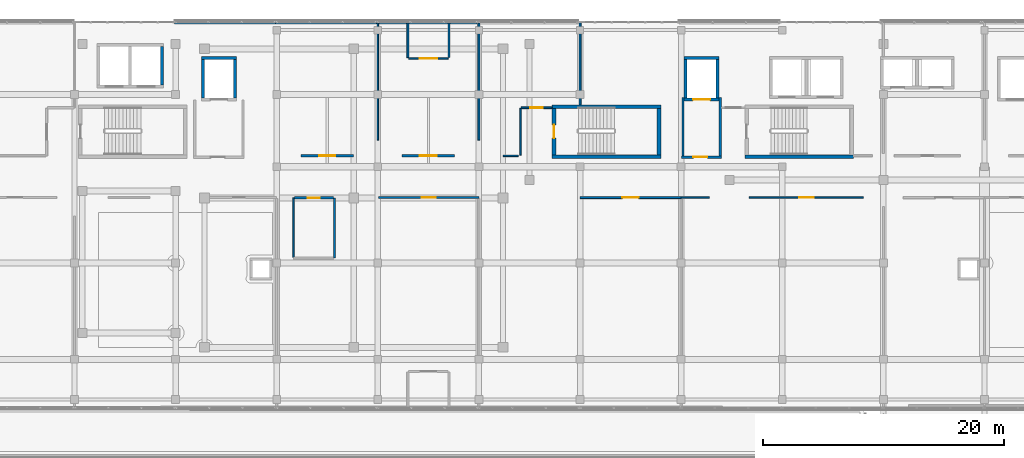
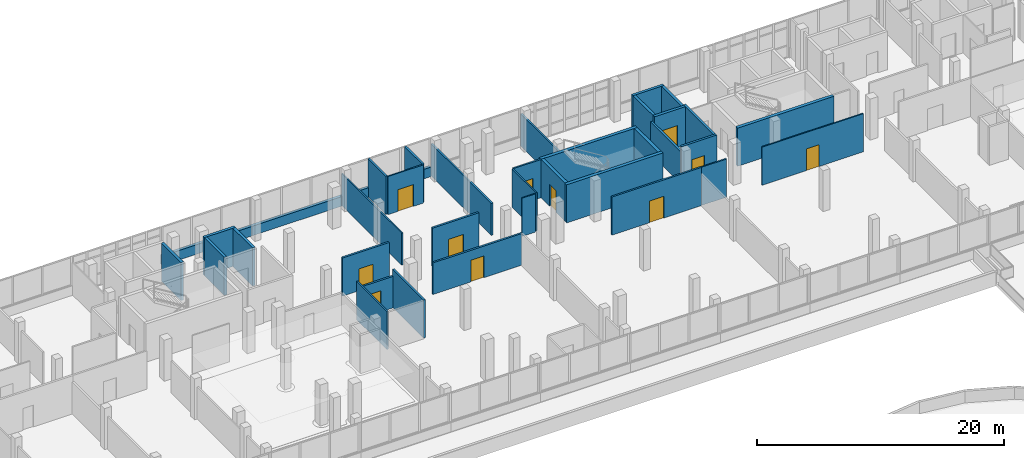
# One storey, part 68 of 78: 37 walls, 11 doors, 11 openings.
"""IFC4 building model written with IfcOpenShell, lengths in metres."""

import ifcopenshell
import ifcopenshell.guid

model = None  # the IFC model being written
_history = None  # IfcOwnerHistory: only IFC2X3 demands one
_inside = {}  # id of a spatial element -> (the spatial element, [elements in it])
_under = {}  # id of a project, library or spatial element -> (it, [spatial elements below it])
_declared = {}  # id of a project -> (the project, [libraries it declares])
_typed = {}  # id of a type object -> (the type object, [elements of that type])
_made_of = {}  # id of a material, layer set ... -> (it, [elements and type objects made of it])


def new_model(schema):
    """Start an empty IFC model of exactly this schema.

    Asked for "IFC4X3", IfcOpenShell would pick the latest addendum, in which some entities
    have other attributes; the version numbers below select the first issue.
    IFC2X3 requires an IfcOwnerHistory on every rooted entity: one is made here for all.
    """
    global model, _history
    if schema == "IFC4X3":
        model = ifcopenshell.file(schema_version=(4, 3, 0, 0))
    else:
        model = ifcopenshell.file(schema=schema)
    _inside.clear()
    _under.clear()
    _declared.clear()
    _typed.clear()
    _made_of.clear()
    _history = None
    if model.schema == "IFC2X3":
        org = make("IfcOrganization", Name="unknown")
        user = make(
            "IfcPersonAndOrganization",
            ThePerson=make("IfcPerson", FamilyName="unknown"),
            TheOrganization=org,
        )
        app = make(
            "IfcApplication",
            ApplicationDeveloper=org,
            Version="unknown",
            ApplicationFullName="unknown",
            ApplicationIdentifier="unknown",
        )
        _history = make(
            "IfcOwnerHistory",
            OwningUser=user,
            OwningApplication=app,
            ChangeAction="ADDED",
            CreationDate=0,
        )
    return model


def make(cls, **values):
    """One entity of the class cls with the attributes given. An attribute that is None is left unset."""
    return model.create_entity(
        cls, **{name: value for name, value in values.items() if value is not None}
    )


def rooted(cls, **values):
    """An entity with a GlobalId (a new one), such as an element, a storey or a relation."""
    return make(cls, GlobalId=ifcopenshell.guid.new(), OwnerHistory=_history, **values)


def si_unit(unit_type, name, prefix=None):
    """IfcSIUnit, for example si_unit("LENGTHUNIT", "METRE", prefix="MILLI")."""
    return make("IfcSIUnit", UnitType=unit_type, Prefix=prefix, Name=name)


def assignment(units):
    """IfcUnitAssignment: the units of a project."""
    return None if units is None else make("IfcUnitAssignment", Units=units)


def point(xyz):
    """IfcCartesianPoint."""
    return None if xyz is None else make("IfcCartesianPoint", Coordinates=xyz)


def direction(xyz):
    """IfcDirection."""
    return None if xyz is None else make("IfcDirection", DirectionRatios=xyz)


def frame(location, z_axis=None, x_axis=None):
    """IfcAxis2Placement3D, a coordinate frame: its origin and axes. An axis left out is left unset."""
    return make(
        "IfcAxis2Placement3D",
        Location=point(location),
        Axis=direction(z_axis),
        RefDirection=direction(x_axis),
    )


def frame_2d(location, x_axis=None):
    """IfcAxis2Placement2D, a coordinate frame in the plane: its origin and x axis."""
    return make(
        "IfcAxis2Placement2D", Location=point(location), RefDirection=direction(x_axis)
    )


def origin():
    """The frame at (0, 0, 0) with its axes left unset."""
    return frame((0.0, 0.0, 0.0))


def place(relative_to, where):
    """IfcLocalPlacement: puts the frame where relative to a parent placement (None: the world)."""
    return make(
        "IfcLocalPlacement", PlacementRelTo=relative_to, RelativePlacement=where
    )


def context(
    kind, dimensions, precision=None, world=None, true_north=None, identifier=None
):
    """IfcGeometricRepresentationContext, for example the 3D "Model" context."""
    return make(
        "IfcGeometricRepresentationContext",
        ContextIdentifier=identifier,
        ContextType=kind,
        CoordinateSpaceDimension=dimensions,
        Precision=precision,
        WorldCoordinateSystem=world,
        TrueNorth=true_north,
    )


def subcontext(parent, identifier, kind, view, scale=None):
    """IfcGeometricRepresentationSubContext, for example "Body" below "Model"."""
    return make(
        "IfcGeometricRepresentationSubContext",
        ContextIdentifier=identifier,
        ContextType=kind,
        ParentContext=parent,
        TargetScale=scale,
        TargetView=view,
    )


def project(units=None, contexts=None):
    """IfcProject with its units and contexts."""
    return rooted(
        "IfcProject",
        Name="project",
        RepresentationContexts=contexts,
        UnitsInContext=assignment(units),
    )


def spatial(cls, under=None, at=None, **own):
    """A site, building, storey or space (cls), placed at a placement, below another one or the project."""
    s = rooted(cls, ObjectPlacement=at, **own)
    if under is not None:
        _under.setdefault(under.id(), (under, []))[1].append(s)
    return s


def profile(cls, at=None, kind="AREA", **sizes):
    """A parametric profile (cls). Its sizes go by their IFC names, for example OverallWidth=200.0."""
    return make(cls, ProfileType=kind, Position=at, **sizes)


def rectangle(**sizes):
    """IfcRectangleProfileDef."""
    return profile("IfcRectangleProfileDef", **sizes)


def extrude(swept, where, along, depth):
    """IfcExtrudedAreaSolid: the profile swept, set in the frame where, extruded along a direction by depth."""
    return make(
        "IfcExtrudedAreaSolid",
        SweptArea=swept,
        Position=where,
        ExtrudedDirection=direction(along),
        Depth=depth,
    )


def shape(context_of_items, identifier, shape_type, items):
    """IfcShapeRepresentation: the items that make up one representation, for example the "Body"."""
    return make(
        "IfcShapeRepresentation",
        ContextOfItems=context_of_items,
        RepresentationIdentifier=identifier,
        RepresentationType=shape_type,
        Items=items,
    )


def material(Name=None, Category=None):
    """IfcMaterial."""
    return make("IfcMaterial", Name=Name, Category=Category)


def layer(
    of_material, thickness, ventilated=None, Name=None, Category=None, Priority=None
):
    """IfcMaterialLayer: one layer of a wall or slab, of a material (None: an air gap)."""
    return make(
        "IfcMaterialLayer",
        Material=of_material,
        LayerThickness=thickness,
        IsVentilated=ventilated,
        Name=Name,
        Category=Category,
        Priority=Priority,
    )


def layer_set(layers, Name=None):
    """IfcMaterialLayerSet."""
    return make("IfcMaterialLayerSet", MaterialLayers=layers, LayerSetName=Name)


def made_of(thing, what):
    """Note that an element or type object is made of a material, layer set ...; save() writes the relation."""
    if what is not None:
        _made_of.setdefault(what.id(), (what, []))[1].append(thing)
    return thing


def type_object(cls, material=None, **own):
    """A type object (cls), such as IfcWallType, which elements share."""
    return made_of(rooted(cls, **own), material)


def element(
    cls,
    number,
    at=None,
    inside=None,
    cuts=None,
    type_object=None,
    material=None,
    context=None,
    identifier="Body",
    shape_type=None,
    held_by="IfcProductDefinitionShape",
    body=None,
    shapes=None,
    **own,
):
    """One element of the class cls, such as IfcWall. Its Tag is "e" and its number.

    at: its placement. inside: the storey or other place that contains it. cuts: it is an
    opening in that element (IfcRelVoidsElement). A single representation is given by context,
    identifier, shape_type and body (its items); several are given by shapes. held_by: the class
    of the entity that holds the representations. save() writes the other relations.
    """
    e = rooted(cls, Tag="e%d" % number, ObjectPlacement=at, **own)
    if body is not None:
        shapes = [shape(context, identifier, shape_type, body)]
    if shapes is not None:
        e.Representation = make(held_by, Representations=shapes)
    if inside is not None:
        _inside.setdefault(inside.id(), (inside, []))[1].append(e)
    if cuts is not None:
        rooted(
            "IfcRelVoidsElement", RelatingBuildingElement=cuts, RelatedOpeningElement=e
        )
    if type_object is not None:
        _typed.setdefault(type_object.id(), (type_object, []))[1].append(e)
    return made_of(e, material)


def fill(opening, filler):
    """IfcRelFillsElement: the door or window that sits in an opening."""
    return rooted(
        "IfcRelFillsElement",
        RelatingOpeningElement=opening,
        RelatedBuildingElement=filler,
    )


def aggregate(whole, parts):
    """IfcRelAggregates: a whole, such as a stair, and the parts it consists of."""
    return rooted("IfcRelAggregates", RelatingObject=whole, RelatedObjects=parts)


def save(model, path):
    """Write the relations noted so far, then the file.

    IfcRelAggregates (storeys below a building ...), IfcRelContainedInSpatialStructure (elements
    in a storey), IfcRelDefinesByType, IfcRelAssociatesMaterial and IfcRelDeclares: one each for
    every whole, place, type object, material and project.
    """
    for whole, parts in _under.values():
        aggregate(whole, parts)
    for where, things in _inside.values():
        rooted(
            "IfcRelContainedInSpatialStructure",
            RelatedElements=things,
            RelatingStructure=where,
        )
    for kind, things in _typed.values():
        rooted("IfcRelDefinesByType", RelatedObjects=things, RelatingType=kind)
    for what, things in _made_of.values():
        rooted("IfcRelAssociatesMaterial", RelatedObjects=things, RelatingMaterial=what)
    for by, libraries in _declared.values():
        rooted("IfcRelDeclares", RelatingContext=by, RelatedDefinitions=libraries)
    model.write(path)


model = new_model("IFC4")

# Units and contexts
model_context = context("Model", 3, precision=1e-05, world=origin(), true_north=direction((0.0, 1.0)))
body_context = subcontext(model_context, "Body", "Model", "MODEL_VIEW")
ifc_project = project(units=[si_unit("LENGTHUNIT", "METRE"), si_unit("AREAUNIT", "SQUARE_METRE"), si_unit("VOLUMEUNIT", "CUBIC_METRE"), si_unit("PLANEANGLEUNIT", "RADIAN"), si_unit("MASSUNIT", "GRAM", prefix="KILO")], contexts=[model_context])

# Site, building, storey
site_placement = place(None, origin())
site = spatial("IfcSite", under=ifc_project, at=site_placement, CompositionType="ELEMENT")
building_placement = place(site_placement, origin())
building = spatial("IfcBuilding", under=site, at=building_placement, Name="Selatvlak General Hospital", CompositionType="ELEMENT")
storey_placement = place(building_placement, frame((0.0, 0.0, 23.25)))
storey = spatial("IfcBuildingStorey", under=building, at=storey_placement, Name="L05", CompositionType="ELEMENT", Elevation=23.25)

# Walls
ifc_material_1 = material(Name="Precast concrete C40/50 - white Bauhaus spandrel", Category="concrete")
ifc_layer_1 = layer(ifc_material_1, 0.280029296875, Name="Precast concrete C40/50 - white Bauhaus spandrel", Category="concrete")
ifc_layer_set_1 = layer_set([ifc_layer_1], Name="Precast concrete C40/50 - white Bauhaus spandrel")
wall_type_1 = type_object("IfcWallType", Name="WALL-EW-02", PredefinedType="SOLIDWALL", material=ifc_layer_set_1)
wall_1_placement = place(storey_placement, frame((56.318115234375, 119.9990234375, 0.0), z_axis=(0.0, 0.0, 1.0), x_axis=(1.0, 0.0, 0.0)))
element("IfcWall", 1, at=wall_1_placement, inside=storey, type_object=wall_type_1, Name="L05 Bauhaus spandrel sill wall 0483", PredefinedType="SOLIDWALL", context=body_context, shape_type="SweptSolid", body=[
    extrude(rectangle(XDim=8.373779296875, YDim=0.280029296875, at=frame_2d((4.18701171875, 0.0))), origin(), (0.0, 0.0, 1.0), 0.93994140625),
])
for number, where, z_axis, x_axis, name in (
    (2, (64.696044921875, 119.9990234375, 0.0), (0.0, 0.0, 1.0), (1.0, 0.0, 0.0), "L05 Bauhaus spandrel sill wall 0484"),
    (3, (73.074951171875, 119.9990234375, 0.0), (0.0, 0.0, 1.0), (1.0, 0.0, 0.0), "L05 Bauhaus spandrel sill wall 0485"),
):
    element("IfcWall", number, at=place(storey_placement, frame(where, z_axis=z_axis, x_axis=x_axis)), inside=storey, type_object=wall_type_1, Name=name, PredefinedType="SOLIDWALL", context=body_context, shape_type="SweptSolid", body=[
        extrude(rectangle(XDim=8.375, YDim=0.280029296875, at=frame_2d((4.1875, 0.0))), origin(), (0.0, 0.0, 1.0), 0.93994140625),
    ])

# Wall, opening, door
ifc_material_2 = material(Name="Concrete C40/50", Category="concrete")
ifc_layer_2 = layer(ifc_material_2, 0.199951171875, Name="Concrete C40/50", Category="concrete")
ifc_layer_set_2 = layer_set([ifc_layer_2], Name="Concrete C40/50")
wall_type_2 = type_object("IfcWallType", Name="WALL-IW-02", PredefinedType="SOLIDWALL", material=ifc_layer_set_2)
wall_2_placement = place(storey_placement, frame((98.449951171875, 108.800048828125, 0.0), z_axis=(0.0, 0.0, 1.0), x_axis=(1.0, 0.0, 0.0)))
wall_2 = element("IfcWall", 4, at=wall_2_placement, inside=storey, type_object=wall_type_2, Name="Firefighting lobby C2 wall L05 S", PredefinedType="SOLIDWALL", context=body_context, shape_type="SweptSolid", body=[
    extrude(rectangle(XDim=3.300048828125, YDim=0.199951171875, at=frame_2d((1.64990234375, 0.0))), origin(), (0.0, 0.0, 1.0), 3.77490234375),
])
opening_1_placement = place(wall_2_placement, frame((0.97509765625, 0.0, 0.0)))
opening_1 = element("IfcOpeningElement", 5, at=opening_1_placement, cuts=wall_2, Name="Opening D-06", PredefinedType="OPENING", context=body_context, shape_type="SweptSolid", body=[
    extrude(rectangle(XDim=1.14990234375, YDim=2.14990234375, at=frame_2d((0.574951171875, 1.074951171875))), frame((0.0, 0.10986328125, 0.0), z_axis=(0.0, -1.0, 0.0), x_axis=(1.0, 0.0, 0.0)), (0.0, 0.0, 1.0), 0.219970703125),
])
ifc_material_3 = material(Name="Firefighting lobby fire door")
door_type_1 = type_object("IfcDoorType", Name="DOOR-D-06", OperationType="NOTDEFINED", PredefinedType="DOOR", material=ifc_material_3)
door_1_placement = place(opening_1_placement, origin())
door_1 = element("IfcDoor", 6, at=door_1_placement, inside=storey, type_object=door_type_1, Name="Firefighting lobby C2 door on L05", OperationType="SINGLE_SWING_LEFT", OverallHeight=2.14990234375, OverallWidth=1.14990234375, PredefinedType="DOOR", context=body_context, shape_type="SweptSolid", body=[
    extrude(rectangle(XDim=1.14990234375, YDim=2.14990234375, at=frame_2d((0.574951171875, 1.074951171875))), frame((0.0, 0.02490234375, 0.0), z_axis=(0.0, -1.0, 0.0), x_axis=(1.0, 0.0, 0.0)), (0.0, 0.0, 1.0), 0.050048828125),
])
fill(opening_1, door_1)

# Walls
wall_3_placement = place(storey_placement, frame((101.64990234375, 108.89990234375, 0.0), z_axis=(0.0, 0.0, 1.0), x_axis=(0.0, 1.0, 0.0)))
element("IfcWall", 7, at=wall_3_placement, inside=storey, type_object=wall_type_2, Name="Firefighting lobby C2 wall L05 E", PredefinedType="SOLIDWALL", context=body_context, shape_type="SweptSolid", body=[
    extrude(rectangle(XDim=4.85009765625, YDim=0.199951171875, at=frame_2d((2.425048828125, 0.0))), origin(), (0.0, 0.0, 1.0), 3.77490234375),
])
wall_4_placement = place(storey_placement, frame((98.550048828125, 113.75, 0.0), z_axis=(0.0, 0.0, 1.0), x_axis=(0.0, -1.0, 0.0)))
element("IfcWall", 8, at=wall_4_placement, inside=storey, type_object=wall_type_2, Name="Firefighting lobby C2 wall L05 W", PredefinedType="SOLIDWALL", context=body_context, shape_type="SweptSolid", body=[
    extrude(rectangle(XDim=4.85009765625, YDim=0.199951171875, at=frame_2d((2.425048828125, 0.0))), origin(), (0.0, 0.0, 1.0), 3.175048828125),
])
ifc_material_4 = material(Name="Acoustic gypsum stud partition")
ifc_layer_3 = layer(ifc_material_4, 0.179931640625, Name="Acoustic gypsum stud partition")
ifc_layer_set_3 = layer_set([ifc_layer_3], Name="Acoustic gypsum stud partition")
wall_type_3 = type_object("IfcWallType", Name="WALL-PT-01", PredefinedType="PARTITIONING", material=ifc_layer_set_3)
wall_5_placement = place(storey_placement, frame((69.60009765625, 105.419921875, 0.0), z_axis=(0.0, 0.0, 1.0), x_axis=(0.0, -1.0, 0.0)))
element("IfcWall", 9, at=wall_5_placement, inside=storey, type_object=wall_type_3, Name="L05 clinical partition PT-L05-1836", PredefinedType="PARTITIONING", context=body_context, shape_type="SweptSolid", body=[
    extrude(rectangle(XDim=5.02001953125, YDim=0.179931640625, at=frame_2d((2.510009765625, 0.0))), origin(), (0.0, 0.0, 1.0), 3.77490234375),
])

# Wall, opening, door
wall_6_placement = place(storey_placement, frame((66.263916015625, 105.419921875, 0.0), z_axis=(0.0, 0.0, 1.0), x_axis=(1.0, 0.0, 0.0)))
wall_6 = element("IfcWall", 10, at=wall_6_placement, inside=storey, type_object=wall_type_3, Name="L05 clinical partition PT-L05-1839", PredefinedType="PARTITIONING", context=body_context, shape_type="SweptSolid", body=[
    extrude(rectangle(XDim=3.25, YDim=0.179931640625, at=frame_2d((1.625, 0.0))), origin(), (0.0, 0.0, 1.0), 3.125),
])
opening_2_placement = place(wall_6_placement, frame((1.125, 0.0, 0.0)))
opening_2 = element("IfcOpeningElement", 11, at=opening_2_placement, cuts=wall_6, Name="Opening D-03", PredefinedType="OPENING", context=body_context, shape_type="SweptSolid", body=[
    extrude(rectangle(XDim=1.0, YDim=2.10009765625, at=frame_2d((0.5, 1.050048828125))), frame((0.0, 0.099853515625, 0.0), z_axis=(0.0, -1.0, 0.0), x_axis=(1.0, 0.0, 0.0)), (0.0, 0.0, 1.0), 0.199951171875),
])
ifc_material_5 = material(Name="Accessible WC door")
door_type_2 = type_object("IfcDoorType", Name="DOOR-D-03", OperationType="NOTDEFINED", PredefinedType="DOOR", material=ifc_material_5)
door_2_placement = place(opening_2_placement, origin())
door_2 = element("IfcDoor", 12, at=door_2_placement, inside=storey, type_object=door_type_2, Name="L05 Accessible WC door", OperationType="SINGLE_SWING_LEFT", OverallHeight=2.10009765625, OverallWidth=1.0, PredefinedType="DOOR", context=body_context, shape_type="SweptSolid", body=[
    extrude(rectangle(XDim=1.0, YDim=2.10009765625, at=frame_2d((0.5, 1.050048828125))), frame((0.0, 0.02490234375, 0.0), z_axis=(0.0, -1.0, 0.0), x_axis=(1.0, 0.0, 0.0)), (0.0, 0.0, 1.0), 0.050048828125),
])
fill(opening_2, door_2)

wall_7_placement = place(storey_placement, frame((73.263916015625, 105.43994140625, 0.0), z_axis=(0.0, 0.0, 1.0), x_axis=(1.0, 0.0, 0.0)))
wall_7 = element("IfcWall", 13, at=wall_7_placement, inside=storey, type_object=wall_type_3, Name="L05 clinical partition PT-L05-1869", PredefinedType="PARTITIONING", context=body_context, shape_type="SweptSolid", body=[
    extrude(rectangle(XDim=8.336181640625, YDim=0.179931640625, at=frame_2d((4.16796875, 0.0))), origin(), (0.0, 0.0, 1.0), 3.125),
])
opening_3_placement = place(wall_7_placement, frame((3.568115234375, 0.0, 0.0)))
opening_3 = element("IfcOpeningElement", 14, at=opening_3_placement, cuts=wall_7, Name="Opening D-07", PredefinedType="OPENING", context=body_context, shape_type="SweptSolid", body=[
    extrude(rectangle(XDim=1.199951171875, YDim=2.14990234375, at=frame_2d((0.60009765625, 1.074951171875))), frame((0.0, 0.099853515625, 0.0), z_axis=(0.0, -1.0, 0.0), x_axis=(1.0, 0.0, 0.0)), (0.0, 0.0, 1.0), 0.199951171875),
])
ifc_material_6 = material(Name="Plant and store fire door")
door_type_3 = type_object("IfcDoorType", Name="DOOR-D-07", OperationType="NOTDEFINED", PredefinedType="DOOR", material=ifc_material_6)
door_3_placement = place(opening_3_placement, origin())
door_3 = element("IfcDoor", 15, at=door_3_placement, inside=storey, type_object=door_type_3, Name="L05 Single Patient Room 07 door", OperationType="SINGLE_SWING_RIGHT", OverallHeight=2.14990234375, OverallWidth=1.199951171875, PredefinedType="DOOR", context=body_context, shape_type="SweptSolid", body=[
    extrude(rectangle(XDim=1.199951171875, YDim=2.14990234375, at=frame_2d((0.60009765625, 1.074951171875))), frame((0.0, 0.02490234375, 0.0), z_axis=(0.0, -1.0, 0.0), x_axis=(1.0, 0.0, 0.0)), (0.0, 0.0, 1.0), 0.050048828125),
])
fill(opening_3, door_3)

wall_8_placement = place(storey_placement, frame((71.18896484375, 108.909912109375, 0.0), z_axis=(0.0, 0.0, 1.0), x_axis=(-1.0, 0.0, 0.0)))
wall_8 = element("IfcWall", 16, at=wall_8_placement, inside=storey, type_object=wall_type_3, Name="L05 clinical partition PT-L05-1925", PredefinedType="PARTITIONING", context=body_context, shape_type="SweptSolid", body=[
    extrude(rectangle(XDim=4.3779296875, YDim=0.179931640625, at=frame_2d((2.18896484375, 0.0))), origin(), (0.0, 0.0, 1.0), 3.77490234375),
])
opening_4_placement = place(wall_8_placement, frame((1.513916015625, 0.0, 0.0)))
opening_4 = element("IfcOpeningElement", 17, at=opening_4_placement, cuts=wall_8, Name="Opening D-10", PredefinedType="OPENING", context=body_context, shape_type="SweptSolid", body=[
    extrude(rectangle(XDim=1.35009765625, YDim=2.14990234375, at=frame_2d((0.675048828125, 1.074951171875))), frame((0.0, 0.099853515625, 0.0), z_axis=(0.0, -1.0, 0.0), x_axis=(1.0, 0.0, 0.0)), (0.0, 0.0, 1.0), 0.199951171875),
])
ifc_material_7 = material(Name="Single patient bed door")
door_type_4 = type_object("IfcDoorType", Name="DOOR-D-10", OperationType="NOTDEFINED", PredefinedType="DOOR", material=ifc_material_7)
door_4_placement = place(opening_4_placement, origin())
door_4 = element("IfcDoor", 18, at=door_4_placement, inside=storey, type_object=door_type_4, Name="L05 Clean Clinical Utility Room 24 door", OperationType="SINGLE_SWING_RIGHT", OverallHeight=2.14990234375, OverallWidth=1.35009765625, PredefinedType="DOOR", context=body_context, shape_type="SweptSolid", body=[
    extrude(rectangle(XDim=1.35009765625, YDim=2.14990234375, at=frame_2d((0.675048828125, 1.074951171875))), frame((0.0, 0.02490234375, 0.0), z_axis=(0.0, -1.0, 0.0), x_axis=(1.0, 0.0, 0.0)), (0.0, 0.0, 1.0), 0.050048828125),
])
fill(opening_4, door_4)

wall_9_placement = place(storey_placement, frame((79.589111328125, 108.909912109375, 0.0), z_axis=(0.0, 0.0, 1.0), x_axis=(-1.0, 0.0, 0.0)))
wall_9 = element("IfcWall", 19, at=wall_9_placement, inside=storey, type_object=wall_type_3, Name="L05 clinical partition PT-L05-1926", PredefinedType="PARTITIONING", context=body_context, shape_type="SweptSolid", body=[
    extrude(rectangle(XDim=4.378173828125, YDim=0.179931640625, at=frame_2d((2.18896484375, 0.0))), origin(), (0.0, 0.0, 1.0), 3.77490234375),
])
opening_5_placement = place(wall_9_placement, frame((1.489013671875, 0.0, 0.0)))
opening_5 = element("IfcOpeningElement", 20, at=opening_5_placement, cuts=wall_9, Name="Opening D-11", PredefinedType="OPENING", context=body_context, shape_type="SweptSolid", body=[
    extrude(rectangle(XDim=1.39990234375, YDim=2.14990234375, at=frame_2d((0.699951171875, 1.074951171875))), frame((0.0, 0.099853515625, 0.0), z_axis=(0.0, -1.0, 0.0), x_axis=(1.0, 0.0, 0.0)), (0.0, 0.0, 1.0), 0.199951171875),
])
ifc_material_8 = material(Name="Inpatient suite bed door")
door_type_5 = type_object("IfcDoorType", Name="DOOR-D-11", OperationType="NOTDEFINED", PredefinedType="DOOR", material=ifc_material_8)
door_5_placement = place(opening_5_placement, origin())
door_5 = element("IfcDoor", 21, at=door_5_placement, inside=storey, type_object=door_type_5, Name="L05 Single Patient Room 25 door", OperationType="SINGLE_SWING_LEFT", OverallHeight=2.14990234375, OverallWidth=1.39990234375, PredefinedType="DOOR", context=body_context, shape_type="SweptSolid", body=[
    extrude(rectangle(XDim=1.39990234375, YDim=2.14990234375, at=frame_2d((0.699951171875, 1.074951171875))), frame((0.0, 0.02490234375, 0.0), z_axis=(0.0, -1.0, 0.0), x_axis=(1.0, 0.0, 0.0)), (0.0, 0.0, 1.0), 0.050048828125),
])
fill(opening_5, door_5)

# Wall
wall_10_placement = place(storey_placement, frame((79.110107421875, 117.06005859375, 0.0), z_axis=(0.0, 0.0, 1.0), x_axis=(0.0, 1.0, 0.0)))
element("IfcWall", 22, at=wall_10_placement, inside=storey, type_object=wall_type_3, Name="L05 clinical partition PT-L05-1929", PredefinedType="PARTITIONING", context=body_context, shape_type="SweptSolid", body=[
    extrude(rectangle(XDim=2.89697265625, YDim=0.179931640625, at=frame_2d((1.448486328125, 0.0))), origin(), (0.0, 0.0, 1.0), 3.77490234375),
])

# Wall, opening, door
ifc_layer_4 = layer(ifc_material_4, 0.1650390625, Name="Acoustic gypsum stud partition")
ifc_layer_set_4 = layer_set([ifc_layer_4], Name="Acoustic gypsum stud partition")
wall_type_4 = type_object("IfcWallType", Name="WALL-PT-02", PredefinedType="PARTITIONING", material=ifc_layer_set_4)
wall_11_placement = place(storey_placement, frame((90.0, 105.43994140625, 0.0), z_axis=(0.0, 0.0, 1.0), x_axis=(1.0, 0.0, 0.0)))
wall_11 = element("IfcWall", 23, at=wall_11_placement, inside=storey, type_object=wall_type_4, Name="L05 clinical partition PT-L05-1876", PredefinedType="PARTITIONING", context=body_context, shape_type="SweptSolid", body=[
    extrude(rectangle(XDim=8.39990234375, YDim=0.1650390625, at=frame_2d((4.199951171875, 0.0))), origin(), (0.0, 0.0, 1.0), 3.77490234375),
])
opening_6_placement = place(wall_11_placement, frame((3.52490234375, 0.0, 0.0)))
opening_6 = element("IfcOpeningElement", 24, at=opening_6_placement, cuts=wall_11, Name="Opening D-10", PredefinedType="OPENING", context=body_context, shape_type="SweptSolid", body=[
    extrude(rectangle(XDim=1.35009765625, YDim=2.14990234375, at=frame_2d((0.675048828125, 1.074951171875))), frame((0.0, 0.092529296875, 0.0), z_axis=(0.0, -1.0, 0.0), x_axis=(1.0, 0.0, 0.0)), (0.0, 0.0, 1.0), 0.18505859375),
])
door_6_placement = place(opening_6_placement, origin())
door_6 = element("IfcDoor", 25, at=door_6_placement, inside=storey, type_object=door_type_4, Name="L05 Surgical Step-Down Ward Bay 09 door", OperationType="SINGLE_SWING_RIGHT", OverallHeight=2.14990234375, OverallWidth=1.35009765625, PredefinedType="DOOR", context=body_context, shape_type="SweptSolid", body=[
    extrude(rectangle(XDim=1.35009765625, YDim=2.14990234375, at=frame_2d((0.675048828125, 1.074951171875))), frame((0.0, 0.02490234375, 0.0), z_axis=(0.0, -1.0, 0.0), x_axis=(1.0, 0.0, 0.0)), (0.0, 0.0, 1.0), 0.050048828125),
])
fill(opening_6, door_6)

# Walls
wall_12_placement = place(storey_placement, frame((75.68994140625, 119.95703125, 0.0), z_axis=(0.0, 0.0, 1.0), x_axis=(0.0, -1.0, 0.0)))
element("IfcWall", 26, at=wall_12_placement, inside=storey, type_object=wall_type_4, Name="L05 clinical partition PT-L05-1927", PredefinedType="PARTITIONING", context=body_context, shape_type="SweptSolid", body=[
    extrude(rectangle(XDim=2.89697265625, YDim=0.1650390625, at=frame_2d((1.448486328125, 0.0))), origin(), (0.0, 0.0, 1.0), 3.77490234375),
])
wall_13_placement = place(storey_placement, frame((81.60009765625, 119.95703125, 0.0), z_axis=(0.0, 0.0, 1.0), x_axis=(0.0, -1.0, 0.0)))
element("IfcWall", 27, at=wall_13_placement, inside=storey, type_object=wall_type_4, Name="L05 clinical partition PT-L05-1930", PredefinedType="PARTITIONING", context=body_context, shape_type="SweptSolid", body=[
    extrude(rectangle(XDim=9.7470703125, YDim=0.1650390625, at=frame_2d((4.87353515625, 0.0))), origin(), (0.0, 0.0, 1.0), 3.175048828125),
])
wall_14_placement = place(storey_placement, frame((90.0, 119.988037109375, 0.0), z_axis=(0.0, 0.0, 1.0), x_axis=(0.0, -1.0, 0.0)))
element("IfcWall", 28, at=wall_14_placement, inside=storey, type_object=wall_type_4, Name="L05 clinical partition PT-L05-1931", PredefinedType="PARTITIONING", context=body_context, shape_type="SweptSolid", body=[
    extrude(rectangle(XDim=6.841064453125, YDim=0.1650390625, at=frame_2d((3.42041015625, 0.0))), origin(), (0.0, 0.0, 1.0), 3.175048828125),
])

# Wall, opening, door
ifc_layer_5 = layer(ifc_material_4, 0.14990234375, Name="Acoustic gypsum stud partition")
ifc_layer_set_5 = layer_set([ifc_layer_5], Name="Acoustic gypsum stud partition")
wall_type_5 = type_object("IfcWallType", Name="WALL-PT-03", PredefinedType="PARTITIONING", material=ifc_layer_set_5)
wall_15_placement = place(storey_placement, frame((87.68994140625, 112.89990234375, 0.0), z_axis=(0.0, 0.0, 1.0), x_axis=(-1.0, 0.0, 0.0)))
wall_15 = element("IfcWall", 29, at=wall_15_placement, inside=storey, type_object=wall_type_5, Name="L05 clinical partition PT-L05-1932", PredefinedType="PARTITIONING", context=body_context, shape_type="SweptSolid", body=[
    extrude(rectangle(XDim=2.58984375, YDim=0.14990234375, at=frame_2d((1.294921875, 0.0))), origin(), (0.0, 0.0, 1.0), 3.77490234375),
])
opening_7_placement = place(wall_15_placement, frame((0.77001953125, 0.0, 0.0)))
opening_7 = element("IfcOpeningElement", 30, at=opening_7_placement, cuts=wall_15, Name="Opening D-04", PredefinedType="OPENING", context=body_context, shape_type="SweptSolid", body=[
    extrude(rectangle(XDim=1.050048828125, YDim=2.14990234375, at=frame_2d((0.52490234375, 1.074951171875))), frame((0.0, 0.0849609375, 0.0), z_axis=(0.0, -1.0, 0.0), x_axis=(1.0, 0.0, 0.0)), (0.0, 0.0, 1.0), 0.169921875),
])
ifc_material_9 = material(Name="Consultation room door")
door_type_6 = type_object("IfcDoorType", Name="DOOR-D-04", OperationType="NOTDEFINED", PredefinedType="DOOR", material=ifc_material_9)
door_7_placement = place(opening_7_placement, origin())
door_7 = element("IfcDoor", 31, at=door_7_placement, inside=storey, type_object=door_type_6, Name="L05 Acute General Medicine Ward Bay 26 door", OperationType="SINGLE_SWING_LEFT", OverallHeight=2.14990234375, OverallWidth=1.050048828125, PredefinedType="DOOR", context=body_context, shape_type="SweptSolid", body=[
    extrude(rectangle(XDim=1.050048828125, YDim=2.14990234375, at=frame_2d((0.52490234375, 1.074951171875))), frame((0.0, 0.02490234375, 0.0), z_axis=(0.0, -1.0, 0.0), x_axis=(1.0, 0.0, 0.0)), (0.0, 0.0, 1.0), 0.050048828125),
])
fill(opening_7, door_7)

# Walls
ifc_material_10 = material(Name="Moisture-resistant clinical partition")
ifc_layer_6 = layer(ifc_material_10, 0.135009765625, Name="Moisture-resistant clinical partition")
ifc_layer_set_6 = layer_set([ifc_layer_6], Name="Moisture-resistant clinical partition")
wall_type_6 = type_object("IfcWallType", Name="WALL-PT-04", PredefinedType="PARTITIONING", material=ifc_layer_set_6)
wall_16_placement = place(storey_placement, frame((66.199951171875, 100.47900390625, 0.0), z_axis=(0.0, 0.0, 1.0), x_axis=(0.0, 1.0, 0.0)))
element("IfcWall", 32, at=wall_16_placement, inside=storey, type_object=wall_type_6, Name="L05 clinical partition PT-L05-1838", PredefinedType="PARTITIONING", context=body_context, shape_type="SweptSolid", body=[
    extrude(rectangle(XDim=4.94091796875, YDim=0.135009765625, at=frame_2d((2.470458984375, 0.0))), origin(), (0.0, 0.0, 1.0), 3.77490234375),
])
wall_17_placement = place(storey_placement, frame((98.39990234375, 105.43994140625, 0.0), z_axis=(0.0, 0.0, 1.0), x_axis=(1.0, 0.0, 0.0)))
element("IfcWall", 33, at=wall_17_placement, inside=storey, type_object=wall_type_6, Name="L05 clinical partition PT-L05-1878", PredefinedType="PARTITIONING", context=body_context, shape_type="SweptSolid", body=[
    extrude(rectangle(XDim=2.343994140625, YDim=0.135009765625, at=frame_2d((1.171875, 0.0))), origin(), (0.0, 0.0, 1.0), 3.77490234375),
])

# Wall, opening, door
wall_18_placement = place(storey_placement, frame((75.75, 117.0, 0.0), z_axis=(0.0, 0.0, 1.0), x_axis=(1.0, 0.0, 0.0)))
wall_18 = element("IfcWall", 34, at=wall_18_placement, inside=storey, type_object=wall_type_6, Name="L05 clinical partition PT-L05-1928", PredefinedType="PARTITIONING", context=body_context, shape_type="SweptSolid", body=[
    extrude(rectangle(XDim=3.300048828125, YDim=0.135009765625, at=frame_2d((1.64990234375, 0.0))), origin(), (0.0, 0.0, 1.0), 3.77490234375),
])
opening_8_placement = place(wall_18_placement, frame((0.925048828125, 0.0, 0.0)))
opening_8 = element("IfcOpeningElement", 35, at=opening_8_placement, cuts=wall_18, Name="Opening D-12", PredefinedType="OPENING", context=body_context, shape_type="SweptSolid", body=[
    extrude(rectangle(XDim=1.449951171875, YDim=2.14990234375, at=frame_2d((0.72509765625, 1.074951171875))), frame((0.0, 0.077392578125, 0.0), z_axis=(0.0, -1.0, 0.0), x_axis=(1.0, 0.0, 0.0)), (0.0, 0.0, 1.0), 0.155029296875),
])
ifc_material_11 = material(Name="Isolation anteroom door")
door_type_7 = type_object("IfcDoorType", Name="DOOR-D-12", OperationType="NOTDEFINED", PredefinedType="DOOR", material=ifc_material_11)
door_8_placement = place(opening_8_placement, origin())
door_8 = element("IfcDoor", 36, at=door_8_placement, inside=storey, type_object=door_type_7, Name="L05 Patient En-Suite WC 25 door", OperationType="SINGLE_SWING_RIGHT", OverallHeight=2.14990234375, OverallWidth=1.449951171875, PredefinedType="DOOR", context=body_context, shape_type="SweptSolid", body=[
    extrude(rectangle(XDim=1.449951171875, YDim=2.14990234375, at=frame_2d((0.72509765625, 1.074951171875))), frame((0.0, 0.02490234375, 0.0), z_axis=(0.0, -1.0, 0.0), x_axis=(1.0, 0.0, 0.0)), (0.0, 0.0, 1.0), 0.050048828125),
])
fill(opening_8, door_8)

# Wall
wall_19_placement = place(storey_placement, frame((85.0400390625, 112.840087890625, 0.0), z_axis=(0.0, 0.0, 1.0), x_axis=(0.0, -1.0, 0.0)))
element("IfcWall", 37, at=wall_19_placement, inside=storey, type_object=wall_type_6, Name="L05 clinical partition PT-L05-1933", PredefinedType="PARTITIONING", context=body_context, shape_type="SweptSolid", body=[
    extrude(rectangle(XDim=3.8671875, YDim=0.135009765625, at=frame_2d((1.93359375, 0.0))), origin(), (0.0, 0.0, 1.0), 3.77490234375),
])

# Wall, opening, door
ifc_layer_7 = layer(ifc_material_10, 0.1201171875, Name="Moisture-resistant clinical partition")
ifc_layer_set_7 = layer_set([ifc_layer_7], Name="Moisture-resistant clinical partition")
wall_type_7 = type_object("IfcWallType", Name="WALL-PT-05", PredefinedType="PARTITIONING", material=ifc_layer_set_7)
wall_20_placement = place(storey_placement, frame((104.055908203125, 105.43994140625, 0.0), z_axis=(0.0, 0.0, 1.0), x_axis=(1.0, 0.0, 0.0)))
wall_20 = element("IfcWall", 38, at=wall_20_placement, inside=storey, type_object=wall_type_7, Name="L05 clinical partition PT-L05-1879", PredefinedType="PARTITIONING", context=body_context, shape_type="SweptSolid", body=[
    extrude(rectangle(XDim=9.488037109375, YDim=0.1201171875, at=frame_2d((4.744140625, 0.0))), origin(), (0.0, 0.0, 1.0), 3.77490234375),
])
opening_9_placement = place(wall_20_placement, frame((4.14404296875, 0.0, 0.0)))
opening_9 = element("IfcOpeningElement", 39, at=opening_9_placement, cuts=wall_20, Name="Opening D-23", PredefinedType="OPENING", context=body_context, shape_type="SweptSolid", body=[
    extrude(rectangle(XDim=1.199951171875, YDim=2.14990234375, at=frame_2d((0.60009765625, 1.074951171875))), frame((0.0, 0.070068359375, 0.0), z_axis=(0.0, -1.0, 0.0), x_axis=(1.0, 0.0, 0.0)), (0.0, 0.0, 1.0), 0.14013671875),
])
ifc_material_12 = material(Name="Endoscopy clinical door")
door_type_8 = type_object("IfcDoorType", Name="DOOR-D-23", OperationType="NOTDEFINED", PredefinedType="DOOR", material=ifc_material_12)
door_9_placement = place(opening_9_placement, origin())
door_9 = element("IfcDoor", 40, at=door_9_placement, inside=storey, type_object=door_type_8, Name="L05 Outpatient Specialist Waiting Concourse 10 door", OperationType="SINGLE_SWING_LEFT", OverallHeight=2.14990234375, OverallWidth=1.199951171875, PredefinedType="DOOR", context=body_context, shape_type="SweptSolid", body=[
    extrude(rectangle(XDim=1.199951171875, YDim=2.14990234375, at=frame_2d((0.60009765625, 1.074951171875))), frame((0.0, 0.02490234375, 0.0), z_axis=(0.0, -1.0, 0.0), x_axis=(1.0, 0.0, 0.0)), (0.0, 0.0, 1.0), 0.050048828125),
])
fill(opening_9, door_9)

# Walls
wall_21_placement = place(storey_placement, frame((73.199951171875, 119.95703125, 0.0), z_axis=(0.0, 0.0, 1.0), x_axis=(0.0, -1.0, 0.0)))
element("IfcWall", 41, at=wall_21_placement, inside=storey, type_object=wall_type_7, Name="L05 clinical partition PT-L05-1924", PredefinedType="PARTITIONING", context=body_context, shape_type="SweptSolid", body=[
    extrude(rectangle(XDim=9.7470703125, YDim=0.1201171875, at=frame_2d((4.87353515625, 0.0))), origin(), (0.0, 0.0, 1.0), 3.175048828125),
])
wall_22_placement = place(storey_placement, frame((84.886962890625, 108.909912109375, 0.0), z_axis=(0.0, 0.0, 1.0), x_axis=(-1.0, 0.0, 0.0)))
element("IfcWall", 42, at=wall_22_placement, inside=storey, type_object=wall_type_7, Name="L05 clinical partition PT-L05-1934", PredefinedType="PARTITIONING", context=body_context, shape_type="SweptSolid", body=[
    extrude(rectangle(XDim=1.27587890625, YDim=0.1201171875, at=frame_2d((0.637939453125, 0.0))), origin(), (0.0, 0.0, 1.0), 3.77490234375),
])
ifc_material_13 = material(Name="Concrete C45/55", Category="concrete")
ifc_layer_8 = layer(ifc_material_13, 0.300048828125, Name="Concrete C45/55", Category="concrete")
ifc_layer_set_8 = layer_set([ifc_layer_8], Name="Concrete C45/55")
wall_type_8 = type_object("IfcWallType", Name="WALL-SW-02", PredefinedType="SHEAR", material=ifc_layer_set_8)
wall_23_placement = place(storey_placement, frame((87.68994140625, 108.840087890625, 0.0), z_axis=(0.0, 0.0, 1.0), x_axis=(1.0, 0.0, 0.0)))
element("IfcWall", 43, at=wall_23_placement, inside=storey, type_object=wall_type_8, Name="ST-02 core shear wall L05 S", PredefinedType="SHEAR", context=body_context, shape_type="SweptSolid", body=[
    extrude(rectangle(XDim=9.02001953125, YDim=0.300048828125, at=frame_2d((4.510009765625, 0.0))), origin(), (0.0, 0.0, 1.0), 3.77490234375),
])
wall_24_placement = place(storey_placement, frame((96.56005859375, 108.989990234375, 0.0), z_axis=(0.0, 0.0, 1.0), x_axis=(0.0, 1.0, 0.0)))
element("IfcWall", 44, at=wall_24_placement, inside=storey, type_object=wall_type_8, Name="ST-02 core shear wall L05 E", PredefinedType="SHEAR", context=body_context, shape_type="SweptSolid", body=[
    extrude(rectangle(XDim=3.860107421875, YDim=0.300048828125, at=frame_2d((1.93017578125, 0.0))), origin(), (0.0, 0.0, 1.0), 3.77490234375),
])
wall_25_placement = place(storey_placement, frame((96.7099609375, 113.0, 0.0), z_axis=(0.0, 0.0, 1.0), x_axis=(-1.0, 0.0, 0.0)))
element("IfcWall", 45, at=wall_25_placement, inside=storey, type_object=wall_type_8, Name="ST-02 core shear wall L05 N", PredefinedType="SHEAR", context=body_context, shape_type="SweptSolid", body=[
    extrude(rectangle(XDim=9.02001953125, YDim=0.300048828125, at=frame_2d((4.510009765625, 0.0))), origin(), (0.0, 0.0, 1.0), 3.77490234375),
])

# Wall, opening, door
wall_26_placement = place(storey_placement, frame((87.840087890625, 112.85009765625, 0.0), z_axis=(0.0, 0.0, 1.0), x_axis=(0.0, -1.0, 0.0)))
wall_26 = element("IfcWall", 46, at=wall_26_placement, inside=storey, type_object=wall_type_8, Name="ST-02 core shear wall L05 W", PredefinedType="SHEAR", context=body_context, shape_type="SweptSolid", body=[
    extrude(rectangle(XDim=3.860107421875, YDim=0.300048828125, at=frame_2d((1.93017578125, 0.0))), origin(), (0.0, 0.0, 1.0), 3.77490234375),
])
opening_10_placement = place(wall_26_placement, frame((1.3798828125, 0.0, 0.0)))
opening_10 = element("IfcOpeningElement", 47, at=opening_10_placement, cuts=wall_26, Name="Opening D-05", PredefinedType="OPENING", context=body_context, shape_type="SweptSolid", body=[
    extrude(rectangle(XDim=1.10009765625, YDim=2.14990234375, at=frame_2d((0.550048828125, 1.074951171875))), frame((0.0, 0.159912109375, 0.0), z_axis=(0.0, -1.0, 0.0), x_axis=(1.0, 0.0, 0.0)), (0.0, 0.0, 1.0), 0.320068359375),
])
ifc_material_14 = material(Name="Protected stair fire door")
door_type_9 = type_object("IfcDoorType", Name="DOOR-D-05", OperationType="NOTDEFINED", PredefinedType="DOOR", material=ifc_material_14)
door_10_placement = place(opening_10_placement, origin())
door_10 = element("IfcDoor", 48, at=door_10_placement, inside=storey, type_object=door_type_9, Name="ST-02 protected stair door on L05", OperationType="SINGLE_SWING_RIGHT", OverallHeight=2.14990234375, OverallWidth=1.10009765625, PredefinedType="DOOR", context=body_context, shape_type="SweptSolid", body=[
    extrude(rectangle(XDim=1.10009765625, YDim=2.14990234375, at=frame_2d((0.550048828125, 1.074951171875))), frame((0.0, 0.02490234375, 0.0), z_axis=(0.0, -1.0, 0.0), x_axis=(1.0, 0.0, 0.0)), (0.0, 0.0, 1.0), 0.050048828125),
])
fill(opening_10, door_10)

# Walls
wall_27_placement = place(storey_placement, frame((103.68994140625, 108.840087890625, 0.0), z_axis=(0.0, 0.0, 1.0), x_axis=(1.0, 0.0, 0.0)))
element("IfcWall", 49, at=wall_27_placement, inside=storey, type_object=wall_type_8, Name="ST-03 core shear wall L05 S", PredefinedType="SHEAR", context=body_context, shape_type="SweptSolid", body=[
    extrude(rectangle(XDim=9.02001953125, YDim=0.300048828125, at=frame_2d((4.510009765625, 0.0))), origin(), (0.0, 0.0, 1.0), 3.77490234375),
])
ifc_layer_9 = layer(ifc_material_2, 0.25, Name="Concrete C40/50", Category="concrete")
ifc_layer_set_9 = layer_set([ifc_layer_9], Name="Concrete C40/50")
wall_type_9 = type_object("IfcWallType", Name="WALL-SW-03", PredefinedType="SHEAR", material=ifc_layer_set_9)
wall_28_placement = place(storey_placement, frame((61.324951171875, 113.699951171875, 0.0), z_axis=(0.0, 0.0, 1.0), x_axis=(0.0, 1.0, 0.0)))
element("IfcWall", 50, at=wall_28_placement, inside=storey, type_object=wall_type_9, Name="Lift LF-01 shaft wall L05 E", PredefinedType="SHEAR", context=body_context, shape_type="SweptSolid", body=[
    extrude(rectangle(XDim=3.199951171875, YDim=0.25, at=frame_2d((1.60009765625, 0.0))), origin(), (0.0, 0.0, 1.0), 3.77490234375),
])
wall_29_placement = place(storey_placement, frame((61.449951171875, 117.02490234375, 0.0), z_axis=(0.0, 0.0, 1.0), x_axis=(-1.0, 0.0, 0.0)))
element("IfcWall", 51, at=wall_29_placement, inside=storey, type_object=wall_type_9, Name="Lift LF-01 shaft wall L05 N", PredefinedType="SHEAR", context=body_context, shape_type="SweptSolid", body=[
    extrude(rectangle(XDim=2.89990234375, YDim=0.25, at=frame_2d((1.449951171875, 0.0))), origin(), (0.0, 0.0, 1.0), 3.77490234375),
])
wall_30_placement = place(storey_placement, frame((58.675048828125, 116.89990234375, 0.0), z_axis=(0.0, 0.0, 1.0), x_axis=(0.0, -1.0, 0.0)))
element("IfcWall", 52, at=wall_30_placement, inside=storey, type_object=wall_type_9, Name="Lift LF-01 shaft wall L05 W", PredefinedType="SHEAR", context=body_context, shape_type="SweptSolid", body=[
    extrude(rectangle(XDim=3.199951171875, YDim=0.25, at=frame_2d((1.60009765625, 0.0))), origin(), (0.0, 0.0, 1.0), 3.77490234375),
])

# Wall, opening, door
wall_31_placement = place(storey_placement, frame((98.64990234375, 113.574951171875, 0.0), z_axis=(0.0, 0.0, 1.0), x_axis=(1.0, 0.0, 0.0)))
wall_31 = element("IfcWall", 53, at=wall_31_placement, inside=storey, type_object=wall_type_9, Name="Lift LF-02 shaft wall L05 S", PredefinedType="SHEAR", context=body_context, shape_type="SweptSolid", body=[
    extrude(rectangle(XDim=2.900146484375, YDim=0.25, at=frame_2d((1.4501953125, 0.0))), origin(), (0.0, 0.0, 1.0), 3.77490234375),
])
opening_11_placement = place(wall_31_placement, frame((0.75, 0.0, 0.0)))
opening_11 = element("IfcOpeningElement", 54, at=opening_11_placement, cuts=wall_31, Name="Opening LD-F1", PredefinedType="OPENING", context=body_context, shape_type="SweptSolid", body=[
    extrude(rectangle(XDim=1.39990234375, YDim=2.14990234375, at=frame_2d((0.699951171875, 1.074951171875))), frame((0.0, 0.135009765625, 0.0), z_axis=(0.0, -1.0, 0.0), x_axis=(1.0, 0.0, 0.0)), (0.0, 0.0, 1.0), 0.27001953125),
])
ifc_material_15 = material(Name="Stainless steel fire lift landing door", Category="steel")
door_type_10 = type_object("IfcDoorType", Name="DOOR-LD-F1", OperationType="DOUBLE_DOOR_SLIDING", PredefinedType="DOOR", material=ifc_material_15)
door_11_placement = place(opening_11_placement, origin())
door_11 = element("IfcDoor", 55, at=door_11_placement, inside=storey, type_object=door_type_10, Name="Lift LF-02 sliding landing door on L05", OperationType="DOUBLE_DOOR_SLIDING", OverallHeight=2.14990234375, OverallWidth=1.39990234375, PredefinedType="DOOR", context=body_context, shape_type="SweptSolid", body=[
    extrude(rectangle(XDim=1.39990234375, YDim=2.14990234375, at=frame_2d((0.699951171875, 1.074951171875))), frame((0.0, 0.02490234375, 0.0), z_axis=(0.0, -1.0, 0.0), x_axis=(1.0, 0.0, 0.0)), (0.0, 0.0, 1.0), 0.050048828125),
])
fill(opening_11, door_11)

# Walls
wall_32_placement = place(storey_placement, frame((101.425048828125, 113.699951171875, 0.0), z_axis=(0.0, 0.0, 1.0), x_axis=(0.0, 1.0, 0.0)))
element("IfcWall", 56, at=wall_32_placement, inside=storey, type_object=wall_type_9, Name="Lift LF-02 shaft wall L05 E", PredefinedType="SHEAR", context=body_context, shape_type="SweptSolid", body=[
    extrude(rectangle(XDim=3.199951171875, YDim=0.25, at=frame_2d((1.60009765625, 0.0))), origin(), (0.0, 0.0, 1.0), 3.77490234375),
])
wall_33_placement = place(storey_placement, frame((101.550048828125, 117.02490234375, 0.0), z_axis=(0.0, 0.0, 1.0), x_axis=(-1.0, 0.0, 0.0)))
element("IfcWall", 57, at=wall_33_placement, inside=storey, type_object=wall_type_9, Name="Lift LF-02 shaft wall L05 N", PredefinedType="SHEAR", context=body_context, shape_type="SweptSolid", body=[
    extrude(rectangle(XDim=2.900146484375, YDim=0.25, at=frame_2d((1.4501953125, 0.0))), origin(), (0.0, 0.0, 1.0), 3.77490234375),
])
for number, where, z_axis, x_axis, name in (
    (58, (98.77490234375, 116.89990234375, 0.0), (0.0, 0.0, 1.0), (0.0, -1.0, 0.0), "Lift LF-02 shaft wall L05 W"),
    (59, (55.27490234375, 114.800048828125, 0.0), (0.0, 0.0, 1.0), (0.0, 1.0, 0.0), "Lift LB-01-LB-02 shaft wall L05 E"),
):
    element("IfcWall", number, at=place(storey_placement, frame(where, z_axis=z_axis, x_axis=x_axis)), inside=storey, type_object=wall_type_9, Name=name, PredefinedType="SHEAR", context=body_context, shape_type="SweptSolid", body=[
        extrude(rectangle(XDim=3.199951171875, YDim=0.25, at=frame_2d((1.60009765625, 0.0))), origin(), (0.0, 0.0, 1.0), 3.77490234375),
    ])

save(model, "model.ifc")
